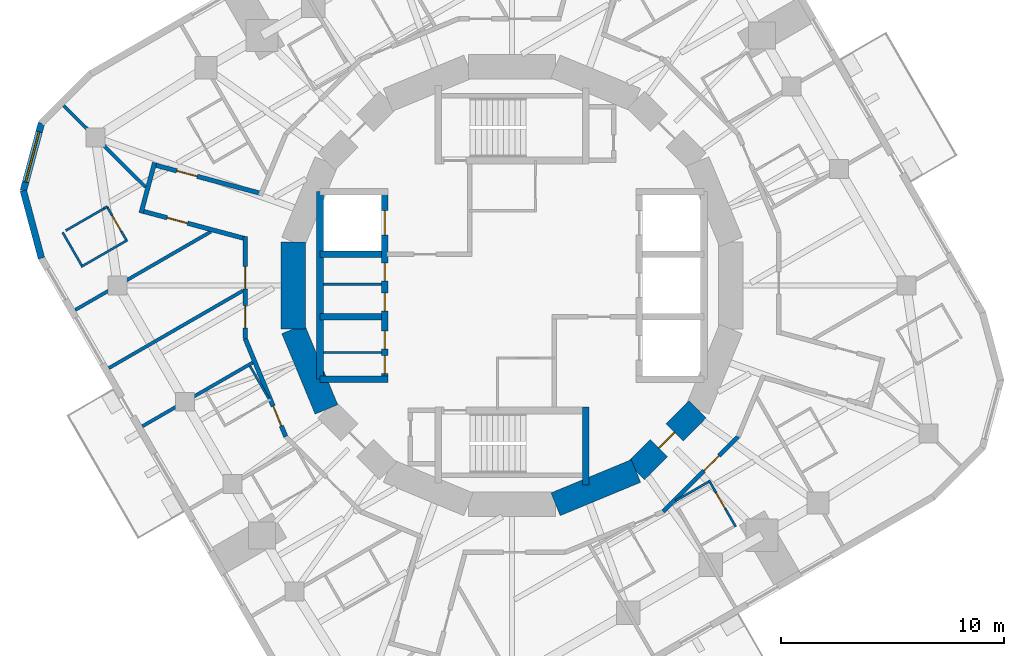
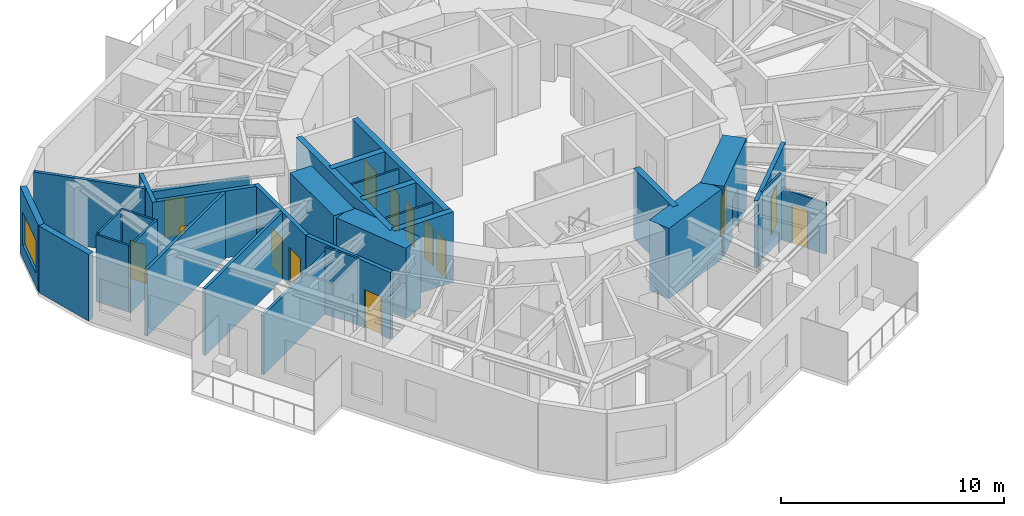
# One storey, part 5 of 11: 32 walls, 14 doors, 1 window, 15 openings.
"""IFC4 building model written with IfcOpenShell, lengths in metres."""

from ifc_helpers import new_model, si_unit, direction, frame, frame_2d, origin, place, context, subcontext, project, spatial, rectangle, extrude, material, layer, layer_set, type_object, element, fill, save


model = new_model("IFC4")

# Units and contexts
model_context = context("Model", 3, precision=1e-05, world=origin(), true_north=direction((0.0, 1.0)))
body_context = subcontext(model_context, "Body", "Model", "MODEL_VIEW")
ifc_project = project(units=[si_unit("LENGTHUNIT", "METRE"), si_unit("AREAUNIT", "SQUARE_METRE"), si_unit("VOLUMEUNIT", "CUBIC_METRE"), si_unit("PLANEANGLEUNIT", "RADIAN"), si_unit("MASSUNIT", "GRAM", prefix="KILO")], contexts=[model_context])

# Site, building, storey
site_placement = place(None, origin())
site = spatial("IfcSite", under=ifc_project, at=site_placement, CompositionType="ELEMENT")
building_placement = place(site_placement, origin())
building = spatial("IfcBuilding", under=site, at=building_placement, Name="Nakasero Lantern House", CompositionType="ELEMENT")
storey_placement = place(building_placement, frame((0.0, 0.0, 253.89990234375)))
storey = spatial("IfcBuildingStorey", under=building, at=storey_placement, Name="L62", CompositionType="ELEMENT", Elevation=253.89990234375)

# Wall, openings, doors
ifc_material_1 = material(Name="Concrete C50/60", Category="concrete")
ifc_layer_1 = layer(ifc_material_1, 0.300048828125)
ifc_layer_set_1 = layer_set([ifc_layer_1], Name="Core inner wall 300")
wall_type_1 = type_object("IfcWallType", Name="Core inner wall 300", PredefinedType="SHEAR", material=ifc_layer_set_1)
wall_1_placement = place(storey_placement, frame((-5.699951171875, -4.199951171875, 0.0), z_axis=(0.0, 0.0, 1.0), x_axis=(0.0, 1.0, 0.0)))
wall_1 = element("IfcWall", 1, at=wall_1_placement, inside=storey, type_object=wall_type_1, Name="Core inner wall L62 LW", PredefinedType="SHEAR", context=body_context, shape_type="SweptSolid", body=[
    extrude(rectangle(XDim=8.39990234375, YDim=0.300048828125, at=frame_2d((4.199951171875, 0.0))), origin(), (0.0, 0.0, 1.0), 3.85009765625),
])
opening_1_placement = place(wall_1_placement, frame((0.25, 0.0, 0.0)))
opening_1 = element("IfcOpeningElement", 2, at=opening_1_placement, cuts=wall_1, Name="Opening D15", PredefinedType="OPENING", context=body_context, shape_type="SweptSolid", body=[
    extrude(rectangle(XDim=0.800048828125, YDim=2.10009765625, at=frame_2d((0.39990234375, 1.050048828125))), frame((0.0, 0.169921875, 0.0), z_axis=(0.0, -1.0, 0.0), x_axis=(1.0, 0.0, 0.0)), (0.0, 0.0, 1.0), 0.340087890625),
])
opening_2_placement = place(wall_1_placement, frame((1.35009765625, 0.0, 0.0)))
opening_2 = element("IfcOpeningElement", 3, at=opening_2_placement, cuts=wall_1, Name="Opening D15", PredefinedType="OPENING", context=body_context, shape_type="SweptSolid", body=[
    extrude(rectangle(XDim=0.800048828125, YDim=2.10009765625, at=frame_2d((0.39990234375, 1.050048828125))), frame((0.0, 0.169921875, 0.0), z_axis=(0.0, -1.0, 0.0), x_axis=(1.0, 0.0, 0.0)), (0.0, 0.0, 1.0), 0.340087890625),
])
opening_3_placement = place(wall_1_placement, frame((3.050048828125, 0.0, 0.0)))
opening_3 = element("IfcOpeningElement", 4, at=opening_3_placement, cuts=wall_1, Name="Opening D15", PredefinedType="OPENING", context=body_context, shape_type="SweptSolid", body=[
    extrude(rectangle(XDim=0.800048828125, YDim=2.10009765625, at=frame_2d((0.39990234375, 1.050048828125))), frame((0.0, 0.169921875, 0.0), z_axis=(0.0, -1.0, 0.0), x_axis=(1.0, 0.0, 0.0)), (0.0, 0.0, 1.0), 0.340087890625),
])
opening_4_placement = place(wall_1_placement, frame((4.39990234375, 0.0, 0.0)))
opening_4 = element("IfcOpeningElement", 5, at=opening_4_placement, cuts=wall_1, Name="Opening D15", PredefinedType="OPENING", context=body_context, shape_type="SweptSolid", body=[
    extrude(rectangle(XDim=0.800048828125, YDim=2.10009765625, at=frame_2d((0.39990234375, 1.050048828125))), frame((0.0, 0.169921875, 0.0), z_axis=(0.0, -1.0, 0.0), x_axis=(1.0, 0.0, 0.0)), (0.0, 0.0, 1.0), 0.340087890625),
])
opening_5_placement = place(wall_1_placement, frame((6.449951171875, 0.0, 0.0)))
opening_5 = element("IfcOpeningElement", 6, at=opening_5_placement, cuts=wall_1, Name="Opening LD", PredefinedType="OPENING", context=body_context, shape_type="SweptSolid", body=[
    extrude(rectangle(XDim=1.10009765625, YDim=2.10009765625, at=frame_2d((0.550048828125, 1.050048828125))), frame((0.0, 0.169921875, 0.0), z_axis=(0.0, -1.0, 0.0), x_axis=(1.0, 0.0, 0.0)), (0.0, 0.0, 1.0), 0.340087890625),
])
ifc_material_2 = material(Name="Timber C24", Category="wood")
door_type_1 = type_object("IfcDoorType", Name="Cleaner's store door FD30S 800", OperationType="SINGLE_SWING_LEFT", PredefinedType="DOOR", material=ifc_material_2)
door_1_placement = place(opening_1_placement, origin())
door_1 = element("IfcDoor", 7, at=door_1_placement, inside=storey, type_object=door_type_1, Name="Door L62 D-SH-LW1a", OperationType="SINGLE_SWING_LEFT", OverallHeight=2.10009765625, OverallWidth=0.800048828125, PredefinedType="DOOR", context=body_context, shape_type="SweptSolid", body=[
    extrude(rectangle(XDim=0.800048828125, YDim=2.10009765625, at=frame_2d((0.39990234375, 1.050048828125))), frame((0.0, 0.02490234375, 0.0), z_axis=(0.0, -1.0, 0.0), x_axis=(1.0, 0.0, 0.0)), (0.0, 0.0, 1.0), 0.050048828125),
])
fill(opening_1, door_1)
door_2_placement = place(opening_2_placement, origin())
door_2 = element("IfcDoor", 8, at=door_2_placement, inside=storey, type_object=door_type_1, Name="Door L62 D-SH-LW1b", OperationType="SINGLE_SWING_LEFT", OverallHeight=2.10009765625, OverallWidth=0.800048828125, PredefinedType="DOOR", context=body_context, shape_type="SweptSolid", body=[
    extrude(rectangle(XDim=0.800048828125, YDim=2.10009765625, at=frame_2d((0.39990234375, 1.050048828125))), frame((0.0, 0.02490234375, 0.0), z_axis=(0.0, -1.0, 0.0), x_axis=(1.0, 0.0, 0.0)), (0.0, 0.0, 1.0), 0.050048828125),
])
fill(opening_2, door_2)
door_3_placement = place(opening_3_placement, origin())
door_3 = element("IfcDoor", 9, at=door_3_placement, inside=storey, type_object=door_type_1, Name="Door L62 D-SH-LW2a", OperationType="SINGLE_SWING_LEFT", OverallHeight=2.10009765625, OverallWidth=0.800048828125, PredefinedType="DOOR", context=body_context, shape_type="SweptSolid", body=[
    extrude(rectangle(XDim=0.800048828125, YDim=2.10009765625, at=frame_2d((0.39990234375, 1.050048828125))), frame((0.0, 0.02490234375, 0.0), z_axis=(0.0, -1.0, 0.0), x_axis=(1.0, 0.0, 0.0)), (0.0, 0.0, 1.0), 0.050048828125),
])
fill(opening_3, door_3)
door_4_placement = place(opening_4_placement, origin())
door_4 = element("IfcDoor", 10, at=door_4_placement, inside=storey, type_object=door_type_1, Name="Door L62 D-SH-LW2b", OperationType="SINGLE_SWING_RIGHT", OverallHeight=2.10009765625, OverallWidth=0.800048828125, PredefinedType="DOOR", context=body_context, shape_type="SweptSolid", body=[
    extrude(rectangle(XDim=0.800048828125, YDim=2.10009765625, at=frame_2d((0.39990234375, 1.050048828125))), frame((0.0, 0.02490234375, 0.0), z_axis=(0.0, -1.0, 0.0), x_axis=(1.0, 0.0, 0.0)), (0.0, 0.0, 1.0), 0.050048828125),
])
fill(opening_4, door_4)
ifc_material_3 = material(Name="Steel S355", Category="steel")
door_type_2 = type_object("IfcDoorType", Name="Lift landing door E120 1100", OperationType="SLIDING_TO_LEFT", PredefinedType="DOOR", material=ifc_material_3)
door_5_placement = place(opening_5_placement, origin())
door_5 = element("IfcDoor", 11, at=door_5_placement, inside=storey, type_object=door_type_2, Name="Lift landing door LW3", OperationType="SLIDING_TO_LEFT", OverallHeight=2.10009765625, OverallWidth=1.10009765625, PredefinedType="DOOR", context=body_context, shape_type="SweptSolid", body=[
    extrude(rectangle(XDim=1.10009765625, YDim=2.10009765625, at=frame_2d((0.550048828125, 1.050048828125))), frame((0.0, 0.02490234375, 0.0), z_axis=(0.0, -1.0, 0.0), x_axis=(1.0, 0.0, 0.0)), (0.0, 0.0, 1.0), 0.050048828125),
])
fill(opening_5, door_5)

# Walls
wall_2_placement = place(storey_placement, frame((-8.60009765625, -4.199951171875, 0.0), z_axis=(0.0, 0.0, 1.0), x_axis=(1.0, 0.0, 0.0)))
element("IfcWall", 12, at=wall_2_placement, inside=storey, type_object=wall_type_1, Name="Core inner wall L62 LWS", PredefinedType="SHEAR", context=body_context, shape_type="SweptSolid", body=[
    extrude(rectangle(XDim=3.050048828125, YDim=0.300048828125, at=frame_2d((1.52490234375, 0.0))), origin(), (0.0, 0.0, 1.0), 3.85009765625),
])
wall_3_placement = place(storey_placement, frame((-8.60009765625, -4.199951171875, 0.0), z_axis=(0.0, 0.0, 1.0), x_axis=(0.0, 1.0, 0.0)))
element("IfcWall", 13, at=wall_3_placement, inside=storey, type_object=wall_type_1, Name="Core inner wall L62 LWB", PredefinedType="SHEAR", context=body_context, shape_type="SweptSolid", body=[
    extrude(rectangle(XDim=8.39990234375, YDim=0.300048828125, at=frame_2d((4.199951171875, 0.0))), origin(), (0.0, 0.0, 1.0), 3.85009765625),
])
for number, where, z_axis, x_axis, name in (
    (14, (-8.60009765625, -1.39990234375, 0.0), (0.0, 0.0, 1.0), (1.0, 0.0, 0.0), "Core inner wall L62 LW1"),
    (15, (-8.60009765625, 1.39990234375, 0.0), (0.0, 0.0, 1.0), (1.0, 0.0, 0.0), "Core inner wall L62 LW2"),
):
    element("IfcWall", number, at=place(storey_placement, frame(where, z_axis=z_axis, x_axis=x_axis)), inside=storey, type_object=wall_type_1, Name=name, PredefinedType="SHEAR", context=body_context, shape_type="SweptSolid", body=[
        extrude(rectangle(XDim=2.75, YDim=0.300048828125, at=frame_2d((1.375, 0.0))), origin(), (0.0, 0.0, 1.0), 3.85009765625),
    ])
wall_4_placement = place(storey_placement, frame((3.300048828125, -5.449951171875, 0.0), z_axis=(0.0, 0.0, 1.0), x_axis=(0.0, -1.0, 0.0)))
element("IfcWall", 16, at=wall_4_placement, inside=storey, type_object=wall_type_1, Name="Core inner wall L62 SSE", PredefinedType="SHEAR", context=body_context, shape_type="SweptSolid", body=[
    extrude(rectangle(XDim=3.5, YDim=0.300048828125, at=frame_2d((1.75, 0.0))), origin(), (0.0, 0.0, 1.0), 3.85009765625),
])
ifc_material_4 = material(Name="Blockwork", Category="masonry")
ifc_layer_2 = layer(ifc_material_4, 0.10009765625)
ifc_layer_set_2 = layer_set([ifc_layer_2], Name="Core room wall 100")
wall_type_2 = type_object("IfcWallType", Name="Core room wall 100", PredefinedType="PARTITIONING", material=ifc_layer_set_2)
for number, where, z_axis, x_axis, name in (
    (17, (-8.449951171875, -3.0, 0.0), (0.0, 0.0, 1.0), (1.0, 0.0, 0.0), "Core room wall L62 CR-SH-LW1b"),
    (18, (-8.449951171875, 0.050048828125, 0.0), (0.0, 0.0, 1.0), (1.0, 0.0, 0.0), "Core room wall L62 CR-SH-LW2b"),
):
    element("IfcWall", number, at=place(storey_placement, frame(where, z_axis=z_axis, x_axis=x_axis)), inside=storey, type_object=wall_type_2, Name=name, PredefinedType="PARTITIONING", context=body_context, shape_type="SweptSolid", body=[
        extrude(rectangle(XDim=2.599853515625, YDim=0.10009765625, at=frame_2d((1.2998046875, 0.0))), origin(), (0.0, 0.0, 1.0), 3.650146484375),
    ])
ifc_material_5 = material(Name="Concrete C50/60", Category="concrete")
ifc_layer_3 = layer(ifc_material_5, 1.10009765625)
ifc_layer_set_3 = layer_set([ifc_layer_3], Name="Core wall 1100")
wall_type_3 = type_object("IfcWallType", Name="Core wall 1100", PredefinedType="SHEAR", material=ifc_layer_set_3)
for number, where, z_axis, x_axis, name in (
    (19, (-9.807861328125, 1.950927734375, 0.0), (0.0, 0.0, 1.0), (0.0, -1.0, 0.0), "Core wall L62 facet 8"),
    (20, (-9.807861328125, -1.950927734375, 0.0), (0.0, 0.0, 1.0), (0.382690736062, -0.923876507187, 0.0), "Core wall L62 facet 9"),
    (21, (1.950927734375, -9.807861328125, 0.0), (0.0, 0.0, 1.0), (0.923876507187, 0.382690736062, 0.0), "Core wall L62 facet 13"),
):
    element("IfcWall", number, at=place(storey_placement, frame(where, z_axis=z_axis, x_axis=x_axis)), inside=storey, type_object=wall_type_3, Name=name, PredefinedType="SHEAR", context=body_context, shape_type="SweptSolid", body=[
        extrude(rectangle(XDim=3.90185546875, YDim=1.10009765625, at=frame_2d((1.950927734375, 0.0))), origin(), (0.0, 0.0, 1.0), 3.85009765625),
    ])

# Wall, opening, door
wall_5_placement = place(storey_placement, frame((5.5556640625, -8.314697265625, 0.0), z_axis=(0.0, 0.0, 1.0), x_axis=(0.707106781187, 0.707106781187, 0.0)))
wall_5 = element("IfcWall", 22, at=wall_5_placement, inside=storey, type_object=wall_type_3, Name="Core wall L62 facet 14", PredefinedType="SHEAR", context=body_context, shape_type="SweptSolid", body=[
    extrude(rectangle(XDim=3.90185546875, YDim=1.10009765625, at=frame_2d((1.950927734375, 0.0))), origin(), (0.0, 0.0, 1.0), 3.85009765625),
])
opening_6_placement = place(wall_5_placement, frame((1.450927734375, 0.0, 0.0)))
opening_6 = element("IfcOpeningElement", 23, at=opening_6_placement, cuts=wall_5, Name="Opening D05", PredefinedType="OPENING", context=body_context, shape_type="SweptSolid", body=[
    extrude(rectangle(XDim=1.0, YDim=2.10009765625, at=frame_2d((0.5, 1.050048828125))), frame((0.0, 0.570068359375, 0.0), z_axis=(0.0, -1.0, 0.0), x_axis=(1.0, 0.0, 0.0)), (0.0, 0.0, 1.0), 1.14013671875),
])
ifc_material_6 = material(Name="Timber C24", Category="wood")
door_type_3 = type_object("IfcDoorType", Name="Core door FD60S 1000", OperationType="SINGLE_SWING_LEFT", PredefinedType="DOOR", material=ifc_material_6)
door_6_placement = place(opening_6_placement, origin())
door_6 = element("IfcDoor", 24, at=door_6_placement, inside=storey, type_object=door_type_3, Name="Door L62 D-CORE14", OperationType="SINGLE_SWING_LEFT", OverallHeight=2.10009765625, OverallWidth=1.0, PredefinedType="DOOR", context=body_context, shape_type="SweptSolid", body=[
    extrude(rectangle(XDim=1.0, YDim=2.10009765625, at=frame_2d((0.5, 1.050048828125))), frame((0.0, 0.02490234375, 0.0), z_axis=(0.0, -1.0, 0.0), x_axis=(1.0, 0.0, 0.0)), (0.0, 0.0, 1.0), 0.050048828125),
])
fill(opening_6, door_6)

ifc_material_7 = material(Name="Blockwork", Category="masonry")
ifc_layer_4 = layer(ifc_material_7, 0.199951171875)
ifc_layer_set_4 = layer_set([ifc_layer_4], Name="Corridor wall 200")
wall_type_4 = type_object("IfcWallType", Name="Corridor wall 200", PredefinedType="PARTITIONING", material=ifc_layer_set_4)
wall_6_placement = place(storey_placement, frame((10.137451171875, -6.773681640625, 0.0), z_axis=(0.0, 0.0, 1.0), x_axis=(-0.707106781187, -0.707106781187, 0.0)))
wall_6 = element("IfcWall", 25, at=wall_6_placement, inside=storey, type_object=wall_type_4, Name="Corridor wall L62 RC02a", PredefinedType="PARTITIONING", context=body_context, shape_type="SweptSolid", body=[
    extrude(rectangle(XDim=4.757080078125, YDim=0.199951171875, at=frame_2d((2.37841796875, 0.0))), origin(), (0.0, 0.0, 1.0), 3.650146484375),
])
opening_7_placement = place(wall_6_placement, frame((1.219970703125, 0.0, 0.0)))
opening_7 = element("IfcOpeningElement", 26, at=opening_7_placement, cuts=wall_6, Name="Opening D01", PredefinedType="OPENING", context=body_context, shape_type="SweptSolid", body=[
    extrude(rectangle(XDim=0.949951171875, YDim=2.10009765625, at=frame_2d((0.47509765625, 1.050048828125))), frame((0.0, 0.119873046875, 0.0), z_axis=(0.0, -1.0, 0.0), x_axis=(1.0, 0.0, 0.0)), (0.0, 0.0, 1.0), 0.239990234375),
])
ifc_material_8 = material(Name="Timber C24", Category="wood")
door_type_4 = type_object("IfcDoorType", Name="Bedroom door FD30S 950", OperationType="SINGLE_SWING_LEFT", PredefinedType="DOOR", material=ifc_material_8)
door_7_placement = place(opening_7_placement, origin())
door_7 = element("IfcDoor", 27, at=door_7_placement, inside=storey, type_object=door_type_4, Name="Door L62 D3-04", OperationType="SINGLE_SWING_LEFT", OverallHeight=2.10009765625, OverallWidth=0.949951171875, PredefinedType="DOOR", context=body_context, shape_type="SweptSolid", body=[
    extrude(rectangle(XDim=0.949951171875, YDim=2.10009765625, at=frame_2d((0.47509765625, 1.050048828125))), frame((0.0, 0.02490234375, 0.0), z_axis=(0.0, -1.0, 0.0), x_axis=(1.0, 0.0, 0.0)), (0.0, 0.0, 1.0), 0.050048828125),
])
fill(opening_7, door_7)

wall_7_placement = place(storey_placement, frame((-10.137451171875, -6.773681640625, 0.0), z_axis=(0.0, 0.0, 1.0), x_axis=(-0.382653970627, 0.923891735412, 0.0)))
wall_7 = element("IfcWall", 28, at=wall_7_placement, inside=storey, type_object=wall_type_4, Name="Corridor wall L62 RC07a", PredefinedType="PARTITIONING", context=body_context, shape_type="SweptSolid", body=[
    extrude(rectangle(XDim=4.757080078125, YDim=0.199951171875, at=frame_2d((2.37841796875, 0.0))), origin(), (0.0, 0.0, 1.0), 3.650146484375),
])
opening_8_placement = place(wall_7_placement, frame((0.52001953125, 0.0, 0.0)))
opening_8 = element("IfcOpeningElement", 29, at=opening_8_placement, cuts=wall_7, Name="Opening D01", PredefinedType="OPENING", context=body_context, shape_type="SweptSolid", body=[
    extrude(rectangle(XDim=0.949951171875, YDim=2.10009765625, at=frame_2d((0.47509765625, 1.050048828125))), frame((0.0, 0.119873046875, 0.0), z_axis=(0.0, -1.0, 0.0), x_axis=(1.0, 0.0, 0.0)), (0.0, 0.0, 1.0), 0.239990234375),
])
door_8_placement = place(opening_8_placement, origin())
door_8 = element("IfcDoor", 30, at=door_8_placement, inside=storey, type_object=door_type_4, Name="Door L62 D2-03", OperationType="SINGLE_SWING_LEFT", OverallHeight=2.10009765625, OverallWidth=0.949951171875, PredefinedType="DOOR", context=body_context, shape_type="SweptSolid", body=[
    extrude(rectangle(XDim=0.949951171875, YDim=2.10009765625, at=frame_2d((0.47509765625, 1.050048828125))), frame((0.0, 0.02490234375, 0.0), z_axis=(0.0, -1.0, 0.0), x_axis=(1.0, 0.0, 0.0)), (0.0, 0.0, 1.0), 0.050048828125),
])
fill(opening_8, door_8)

# Wall, openings, doors
wall_8_placement = place(storey_placement, frame((-11.957763671875, -2.378662109375, 0.0), z_axis=(0.0, 0.0, 1.0), x_axis=(0.0, 1.0, 0.0)))
wall_8 = element("IfcWall", 31, at=wall_8_placement, inside=storey, type_object=wall_type_4, Name="Corridor wall L62 RC08a", PredefinedType="PARTITIONING", context=body_context, shape_type="SweptSolid", body=[
    extrude(rectangle(XDim=4.57861328125, YDim=0.199951171875, at=frame_2d((2.289306640625, 0.0))), origin(), (0.0, 0.0, 1.0), 3.650146484375),
])
opening_9_placement = place(wall_8_placement, frame((2.219970703125, 0.0, 0.0)))
opening_9 = element("IfcOpeningElement", 32, at=opening_9_placement, cuts=wall_8, Name="Opening D03", PredefinedType="OPENING", context=body_context, shape_type="SweptSolid", body=[
    extrude(rectangle(XDim=1.0, YDim=2.10009765625, at=frame_2d((0.5, 1.050048828125))), frame((0.0, 0.119873046875, 0.0), z_axis=(0.0, -1.0, 0.0), x_axis=(1.0, 0.0, 0.0)), (0.0, 0.0, 1.0), 0.239990234375),
])
opening_10_placement = place(wall_8_placement, frame((0.469970703125, 0.0, 0.0)))
opening_10 = element("IfcOpeningElement", 33, at=opening_10_placement, cuts=wall_8, Name="Opening D03", PredefinedType="OPENING", context=body_context, shape_type="SweptSolid", body=[
    extrude(rectangle(XDim=1.0, YDim=2.10009765625, at=frame_2d((0.5, 1.050048828125))), frame((0.0, 0.119873046875, 0.0), z_axis=(0.0, -1.0, 0.0), x_axis=(1.0, 0.0, 0.0)), (0.0, 0.0, 1.0), 0.239990234375),
])
ifc_material_9 = material(Name="Timber C24", Category="wood")
door_type_5 = type_object("IfcDoorType", Name="Lounge door FD30S 1000", OperationType="SINGLE_SWING_LEFT", PredefinedType="DOOR", material=ifc_material_9)
door_9_placement = place(opening_9_placement, origin())
door_9 = element("IfcDoor", 34, at=door_9_placement, inside=storey, type_object=door_type_5, Name="Door L62 DK2", OperationType="SINGLE_SWING_RIGHT", OverallHeight=2.10009765625, OverallWidth=1.0, PredefinedType="DOOR", context=body_context, shape_type="SweptSolid", body=[
    extrude(rectangle(XDim=1.0, YDim=2.10009765625, at=frame_2d((0.5, 1.050048828125))), frame((0.0, 0.02490234375, 0.0), z_axis=(0.0, -1.0, 0.0), x_axis=(1.0, 0.0, 0.0)), (0.0, 0.0, 1.0), 0.050048828125),
])
fill(opening_9, door_9)
door_10_placement = place(opening_10_placement, origin())
door_10 = element("IfcDoor", 35, at=door_10_placement, inside=storey, type_object=door_type_5, Name="Door L62 DK2-1", OperationType="SINGLE_SWING_LEFT", OverallHeight=2.10009765625, OverallWidth=1.0, PredefinedType="DOOR", context=body_context, shape_type="SweptSolid", body=[
    extrude(rectangle(XDim=1.0, YDim=2.10009765625, at=frame_2d((0.5, 1.050048828125))), frame((0.0, 0.02490234375, 0.0), z_axis=(0.0, -1.0, 0.0), x_axis=(1.0, 0.0, 0.0)), (0.0, 0.0, 1.0), 0.050048828125),
])
fill(opening_10, door_10)

# Wall, opening, door
wall_9_placement = place(storey_placement, frame((-11.237060546875, 4.11865234375, 0.0), z_axis=(0.0, 0.0, 1.0), x_axis=(-0.965923565769, 0.258827481333, 0.0)))
wall_9 = element("IfcWall", 36, at=wall_9_placement, inside=storey, type_object=wall_type_4, Name="Corridor wall L62 SP1a", PredefinedType="PARTITIONING", context=body_context, shape_type="SweptSolid", body=[
    extrude(rectangle(XDim=5.07373046875, YDim=0.199951171875, at=frame_2d((2.536865234375, 0.0))), origin(), (0.0, 0.0, 1.0), 2.669921875),
])
opening_11_placement = place(wall_9_placement, frame((2.969970703125, 0.0, 0.0)))
opening_11 = element("IfcOpeningElement", 37, at=opening_11_placement, cuts=wall_9, Name="Opening D01", PredefinedType="OPENING", context=body_context, shape_type="SweptSolid", body=[
    extrude(rectangle(XDim=0.949951171875, YDim=2.10009765625, at=frame_2d((0.47509765625, 1.050048828125))), frame((0.0, 0.119873046875, 0.0), z_axis=(0.0, -1.0, 0.0), x_axis=(1.0, 0.0, 0.0)), (0.0, 0.0, 1.0), 0.239990234375),
])
door_11_placement = place(opening_11_placement, origin())
door_11 = element("IfcDoor", 38, at=door_11_placement, inside=storey, type_object=door_type_4, Name="Door L62 D1-06", OperationType="SINGLE_SWING_RIGHT", OverallHeight=2.10009765625, OverallWidth=0.949951171875, PredefinedType="DOOR", context=body_context, shape_type="SweptSolid", body=[
    extrude(rectangle(XDim=0.949951171875, YDim=2.10009765625, at=frame_2d((0.47509765625, 1.050048828125))), frame((0.0, 0.02490234375, 0.0), z_axis=(0.0, -1.0, 0.0), x_axis=(1.0, 0.0, 0.0)), (0.0, 0.0, 1.0), 0.050048828125),
])
fill(opening_11, door_11)

wall_10_placement = place(storey_placement, frame((-11.957763671875, 2.096435546875, 0.0), z_axis=(0.0, 0.0, 1.0), x_axis=(-0.965932486884, 0.258794186145, 0.0)))
wall_10 = element("IfcWall", 39, at=wall_10_placement, inside=storey, type_object=wall_type_4, Name="Corridor wall L62 SP1b", PredefinedType="PARTITIONING", context=body_context, shape_type="SweptSolid", body=[
    extrude(rectangle(XDim=4.90087890625, YDim=0.199951171875, at=frame_2d((2.450439453125, 0.0))), origin(), (0.0, 0.0, 1.0), 3.650146484375),
])
opening_12_placement = place(wall_10_placement, frame((2.669921875, 0.0, 0.0)))
opening_12 = element("IfcOpeningElement", 40, at=opening_12_placement, cuts=wall_10, Name="Opening D01", PredefinedType="OPENING", context=body_context, shape_type="SweptSolid", body=[
    extrude(rectangle(XDim=0.949951171875, YDim=2.10009765625, at=frame_2d((0.47509765625, 1.050048828125))), frame((0.0, 0.119873046875, 0.0), z_axis=(0.0, -1.0, 0.0), x_axis=(1.0, 0.0, 0.0)), (0.0, 0.0, 1.0), 0.239990234375),
])
door_12_placement = place(opening_12_placement, origin())
door_12 = element("IfcDoor", 41, at=door_12_placement, inside=storey, type_object=door_type_4, Name="Door L62 D2-00", OperationType="SINGLE_SWING_RIGHT", OverallHeight=2.10009765625, OverallWidth=0.949951171875, PredefinedType="DOOR", context=body_context, shape_type="SweptSolid", body=[
    extrude(rectangle(XDim=0.949951171875, YDim=2.10009765625, at=frame_2d((0.47509765625, 1.050048828125))), frame((0.0, 0.02490234375, 0.0), z_axis=(0.0, -1.0, 0.0), x_axis=(1.0, 0.0, 0.0)), (0.0, 0.0, 1.0), 0.050048828125),
])
fill(opening_12, door_12)

# Walls
wall_11_placement = place(storey_placement, frame((-16.015380859375, 5.502685546875, 0.0), z_axis=(0.0, 0.0, 1.0), x_axis=(-0.258850815837, -0.965917312786, 0.0)))
element("IfcWall", 42, at=wall_11_placement, inside=storey, type_object=wall_type_4, Name="Corridor wall L62 SP1e", PredefinedType="PARTITIONING", context=body_context, shape_type="SweptSolid", body=[
    extrude(rectangle(XDim=2.340087890625, YDim=0.199951171875, at=frame_2d((1.169921875, 0.0))), origin(), (0.0, 0.0, 1.0), 3.650146484375),
])
ifc_material_10 = material(Name="Blockwork", Category="masonry")
ifc_layer_5 = layer(ifc_material_10, 0.10009765625)
ifc_layer_set_5 = layer_set([ifc_layer_5], Name="En-suite wall 100")
wall_type_5 = type_object("IfcWallType", Name="En-suite wall 100", PredefinedType="PARTITIONING", material=ifc_layer_set_5)
wall_12_placement = place(storey_placement, frame((-17.225341796875, 2.034912109375, 0.0), z_axis=(0.0, 0.0, 1.0), x_axis=(-0.866024647952, -0.500001309137, 0.0)))
element("IfcWall", 43, at=wall_12_placement, inside=storey, type_object=wall_type_5, Name="En-suite wall L62 ES2-00", PredefinedType="PARTITIONING", context=body_context, shape_type="SweptSolid", body=[
    extrude(rectangle(XDim=2.39990234375, YDim=0.10009765625, at=frame_2d((1.199951171875, 0.0))), origin(), (0.0, 0.0, 1.0), 3.650146484375),
])
wall_13_placement = place(storey_placement, frame((-20.135498046875, 2.37548828125, 0.0), z_axis=(0.0, 0.0, 1.0), x_axis=(0.500062241894, -0.865989465428, 0.0)))
element("IfcWall", 44, at=wall_13_placement, inside=storey, type_object=wall_type_5, Name="En-suite wall L62 EE2-00", PredefinedType="PARTITIONING", context=body_context, shape_type="SweptSolid", body=[
    extrude(rectangle(XDim=1.699951171875, YDim=0.10009765625, at=frame_2d((0.85009765625, 0.0))), origin(), (0.0, 0.0, 1.0), 3.650146484375),
])

# Wall, opening, door
wall_14_placement = place(storey_placement, frame((-18.1435546875, 3.525634765625, 0.0), z_axis=(0.0, 0.0, 1.0), x_axis=(0.500000056704, -0.866025371046, 0.0)))
wall_14 = element("IfcWall", 45, at=wall_14_placement, inside=storey, type_object=wall_type_5, Name="En-suite wall L62 EI2-00", PredefinedType="PARTITIONING", context=body_context, shape_type="SweptSolid", body=[
    extrude(rectangle(XDim=1.7001953125, YDim=0.10009765625, at=frame_2d((0.85009765625, 0.0))), origin(), (0.0, 0.0, 1.0), 3.650146484375),
])
opening_13_placement = place(wall_14_placement, frame((0.449951171875, 0.0, 0.0)))
opening_13 = element("IfcOpeningElement", 46, at=opening_13_placement, cuts=wall_14, Name="Opening D02", PredefinedType="OPENING", context=body_context, shape_type="SweptSolid", body=[
    extrude(rectangle(XDim=0.800048828125, YDim=2.10009765625, at=frame_2d((0.39990234375, 1.050048828125))), frame((0.0, 0.070068359375, 0.0), z_axis=(0.0, -1.0, 0.0), x_axis=(1.0, 0.0, 0.0)), (0.0, 0.0, 1.0), 0.14013671875),
])
ifc_material_11 = material(Name="Timber C24", Category="wood")
door_type_6 = type_object("IfcDoorType", Name="En-suite door 800", OperationType="SINGLE_SWING_RIGHT", PredefinedType="DOOR", material=ifc_material_11)
door_13_placement = place(opening_13_placement, origin())
door_13 = element("IfcDoor", 47, at=door_13_placement, inside=storey, type_object=door_type_6, Name="Door L62 DE2-00", OperationType="SINGLE_SWING_RIGHT", OverallHeight=2.10009765625, OverallWidth=0.800048828125, PredefinedType="DOOR", context=body_context, shape_type="SweptSolid", body=[
    extrude(rectangle(XDim=0.800048828125, YDim=2.10009765625, at=frame_2d((0.39990234375, 1.050048828125))), frame((0.0, 0.02490234375, 0.0), z_axis=(0.0, -1.0, 0.0), x_axis=(1.0, 0.0, 0.0)), (0.0, 0.0, 1.0), 0.050048828125),
])
fill(opening_13, door_13)

# Wall
wall_15_placement = place(storey_placement, frame((-11.74072265625, -3.614013671875, 0.0), z_axis=(0.0, 0.0, 1.0), x_axis=(0.499892348375, -0.866087547558, 0.0)))
element("IfcWall", 48, at=wall_15_placement, inside=storey, type_object=wall_type_5, Name="En-suite wall L62 EI2-03", PredefinedType="PARTITIONING", context=body_context, shape_type="SweptSolid", body=[
    extrude(rectangle(XDim=1.699951171875, YDim=0.10009765625, at=frame_2d((0.85009765625, 0.0))), origin(), (0.0, 0.0, 1.0), 3.650146484375),
])

# Wall, opening, door
wall_16_placement = place(storey_placement, frame((8.82421875, -8.732177734375, 0.0), z_axis=(0.0, 0.0, 1.0), x_axis=(0.500001309137, -0.866024647952, 0.0)))
wall_16 = element("IfcWall", 49, at=wall_16_placement, inside=storey, type_object=wall_type_5, Name="En-suite wall L62 ES3-04", PredefinedType="PARTITIONING", context=body_context, shape_type="SweptSolid", body=[
    extrude(rectangle(XDim=2.39990234375, YDim=0.10009765625, at=frame_2d((1.199951171875, 0.0))), origin(), (0.0, 0.0, 1.0), 2.809326171875),
])
opening_14_placement = place(wall_16_placement, frame((0.64990234375, 0.0, 0.0)))
opening_14 = element("IfcOpeningElement", 50, at=opening_14_placement, cuts=wall_16, Name="Opening D02", PredefinedType="OPENING", context=body_context, shape_type="SweptSolid", body=[
    extrude(rectangle(XDim=0.800048828125, YDim=2.10009765625, at=frame_2d((0.39990234375, 1.050048828125))), frame((0.0, 0.070068359375, 0.0), z_axis=(0.0, -1.0, 0.0), x_axis=(1.0, 0.0, 0.0)), (0.0, 0.0, 1.0), 0.14013671875),
])
door_14_placement = place(opening_14_placement, origin())
door_14 = element("IfcDoor", 51, at=door_14_placement, inside=storey, type_object=door_type_6, Name="Door L62 DE3-04", OperationType="SINGLE_SWING_LEFT", OverallHeight=2.10009765625, OverallWidth=0.800048828125, PredefinedType="DOOR", context=body_context, shape_type="SweptSolid", body=[
    extrude(rectangle(XDim=0.800048828125, YDim=2.10009765625, at=frame_2d((0.39990234375, 1.050048828125))), frame((0.0, 0.02490234375, 0.0), z_axis=(0.0, -1.0, 0.0), x_axis=(1.0, 0.0, 0.0)), (0.0, 0.0, 1.0), 0.050048828125),
])
fill(opening_14, door_14)

# Walls
wall_17_placement = place(storey_placement, frame((7.333740234375, -9.650390625, 0.0), z_axis=(0.0, 0.0, 1.0), x_axis=(0.86605165483, 0.499954529098, 0.0)))
element("IfcWall", 52, at=wall_17_placement, inside=storey, type_object=wall_type_5, Name="En-suite wall L62 EI3-04", PredefinedType="PARTITIONING", context=body_context, shape_type="SweptSolid", body=[
    extrude(rectangle(XDim=1.699951171875, YDim=0.10009765625, at=frame_2d((0.85009765625, 0.0))), origin(), (0.0, 0.0, 1.0), 3.650146484375),
])
wall_18_placement = place(storey_placement, frame((-18.2822265625, 3.445556640625, 0.0), z_axis=(0.0, 0.0, 1.0), x_axis=(-0.866011036969, -0.500024883228, 0.0)))
element("IfcWall", 53, at=wall_18_placement, inside=storey, type_object=wall_type_5, Name="En-suite wall L62 EX002", PredefinedType="PARTITIONING", context=body_context, shape_type="SweptSolid", body=[
    extrude(rectangle(XDim=1.97998046875, YDim=0.10009765625, at=frame_2d((0.989990234375, 0.0))), origin(), (0.0, 0.0, 1.0), 3.650146484375),
])
wall_19_placement = place(storey_placement, frame((-18.1435546875, 3.525634765625, 0.0), z_axis=(0.0, 0.0, 1.0), x_axis=(-0.865982457891, -0.500074377092, 0.0)))
element("IfcWall", 54, at=wall_19_placement, inside=storey, type_object=wall_type_5, Name="En-suite wall L62 EI2-00R0", PredefinedType="PARTITIONING", context=body_context, shape_type="SweptSolid", body=[
    extrude(rectangle(XDim=0.16015625, YDim=0.10009765625, at=frame_2d((0.080078125, 0.0))), origin(), (0.0, 0.0, 1.0), 3.650146484375),
])

# Wall, opening, window
ifc_material_12 = material(Name="Aluminium rainscreen on blockwork", Category="masonry")
ifc_layer_6 = layer(ifc_material_12, 0.300048828125)
ifc_layer_set_6 = layer_set([ifc_layer_6], Name="Facade wall 300")
wall_type_6 = type_object("IfcWallType", Name="Facade wall 300", PredefinedType="SOLIDWALL", material=ifc_layer_set_6)
wall_20_placement = place(storey_placement, frame((-21.08544921875, 7.27099609375, 0.0), z_axis=(0.0, 0.0, 1.0), x_axis=(-0.258807521156, -0.965928914048, 0.0)))
wall_20 = element("IfcWall", 55, at=wall_20_placement, inside=storey, type_object=wall_type_6, Name="Facade wall L62 FW1C2", PredefinedType="SOLIDWALL", context=body_context, shape_type="SweptSolid", body=[
    extrude(rectangle(XDim=3.1318359375, YDim=0.300048828125, at=frame_2d((1.56591796875, 0.0))), origin(), (0.0, 0.0, 1.0), 3.650146484375),
])
opening_15_placement = place(wall_20_placement, frame((0.39990234375, 0.0, 0.75)))
opening_15 = element("IfcOpeningElement", 56, at=opening_15_placement, cuts=wall_20, Name="Opening W223", PredefinedType="OPENING", context=body_context, shape_type="SweptSolid", body=[
    extrude(rectangle(XDim=2.33203125, YDim=1.800048828125, at=frame_2d((1.166015625, 0.89990234375))), frame((0.0, 0.169921875, 0.0), z_axis=(0.0, -1.0, 0.0), x_axis=(1.0, 0.0, 0.0)), (0.0, 0.0, 1.0), 0.340087890625),
])
ifc_material_13 = material(Name="Aluminium 6063-T6 and glass", Category="aluminium")
window_type = type_object("IfcWindowType", Name="Corner window 2332x1800", PartitioningType="SINGLE_PANEL", PredefinedType="WINDOW", material=ifc_material_13)
window_placement = place(opening_15_placement, origin())
window = element("IfcWindow", 57, at=window_placement, inside=storey, type_object=window_type, Name="Window L62 WC1", OverallHeight=1.800048828125, OverallWidth=2.33203125, PartitioningType="SINGLE_PANEL", PredefinedType="WINDOW", context=body_context, shape_type="SweptSolid", body=[
    extrude(rectangle(XDim=2.33203125, YDim=1.800048828125, at=frame_2d((1.166015625, 0.89990234375))), frame((0.0, 0.030029296875, 0.0), z_axis=(0.0, -1.0, 0.0), x_axis=(1.0, 0.0, 0.0)), (0.0, 0.0, 1.0), 0.06005859375),
])
fill(opening_15, window)

# Walls
wall_21_placement = place(storey_placement, frame((-21.89599609375, 4.245849609375, 0.0), z_axis=(0.0, 0.0, 1.0), x_axis=(0.258827010283, -0.96592369199, 0.0)))
element("IfcWall", 58, at=wall_21_placement, inside=storey, type_object=wall_type_6, Name="Facade wall L62 FW1C3", PredefinedType="SOLIDWALL", context=body_context, shape_type="SweptSolid", body=[
    extrude(rectangle(XDim=3.131591796875, YDim=0.300048828125, at=frame_2d((1.56591796875, 0.0))), origin(), (0.0, 0.0, 1.0), 3.650146484375),
])
ifc_material_14 = material(Name="Blockwork", Category="masonry")
ifc_layer_7 = layer(ifc_material_14, 0.14990234375)
ifc_layer_set_7 = layer_set([ifc_layer_7], Name="Party wall 150")
wall_type_7 = type_object("IfcWallType", Name="Party wall 150", PredefinedType="PARTITIONING", material=ifc_layer_set_7)
wall_22_placement = place(storey_placement, frame((-16.414794921875, 4.3984375, 0.0), z_axis=(0.0, 0.0, 1.0), x_axis=(-0.708660804635, 0.705549334897, 0.0)))
element("IfcWall", 59, at=wall_22_placement, inside=storey, type_object=wall_type_7, Name="Party wall L62 PW2-00", PredefinedType="PARTITIONING", context=body_context, shape_type="SweptSolid", body=[
    extrude(rectangle(XDim=5.1787109375, YDim=0.14990234375, at=frame_2d((2.58935546875, 0.0))), origin(), (0.0, 0.0, 1.0), 3.650146484375),
])
wall_23_placement = place(storey_placement, frame((-13.499755859375, 2.406005859375, 0.0), z_axis=(0.0, 0.0, 1.0), x_axis=(-0.866016859018, -0.500014799677, 0.0)))
element("IfcWall", 60, at=wall_23_placement, inside=storey, type_object=wall_type_7, Name="Party wall L62 PW2-01", PredefinedType="PARTITIONING", context=body_context, shape_type="SweptSolid", body=[
    extrude(rectangle(XDim=7.011962890625, YDim=0.14990234375, at=frame_2d((3.505859375, 0.0))), origin(), (0.0, 0.0, 1.0), 3.650146484375),
])
wall_24_placement = place(storey_placement, frame((-12.057861328125, -0.236083984375, 0.0), z_axis=(0.0, 0.0, 1.0), x_axis=(-0.866026229868, -0.499998569178, 0.0)))
element("IfcWall", 61, at=wall_24_placement, inside=storey, type_object=wall_type_7, Name="Party wall L62 PW2-02", PredefinedType="PARTITIONING", context=body_context, shape_type="SweptSolid", body=[
    extrude(rectangle(XDim=6.939453125, YDim=0.14990234375, at=frame_2d((3.4697265625, 0.0))), origin(), (0.0, 0.0, 1.0), 3.650146484375),
])
wall_25_placement = place(storey_placement, frame((-11.619140625, -3.457275390625, 0.0), z_axis=(0.0, 0.0, 1.0), x_axis=(-0.866023927955, -0.500002556202, 0.0)))
element("IfcWall", 62, at=wall_25_placement, inside=storey, type_object=wall_type_7, Name="Party wall L62 PW2-03", PredefinedType="PARTITIONING", context=body_context, shape_type="SweptSolid", body=[
    extrude(rectangle(XDim=5.708984375, YDim=0.14990234375, at=frame_2d((2.8544921875, 0.0))), origin(), (0.0, 0.0, 1.0), 3.24365234375),
])

save(model, "model.ifc")
